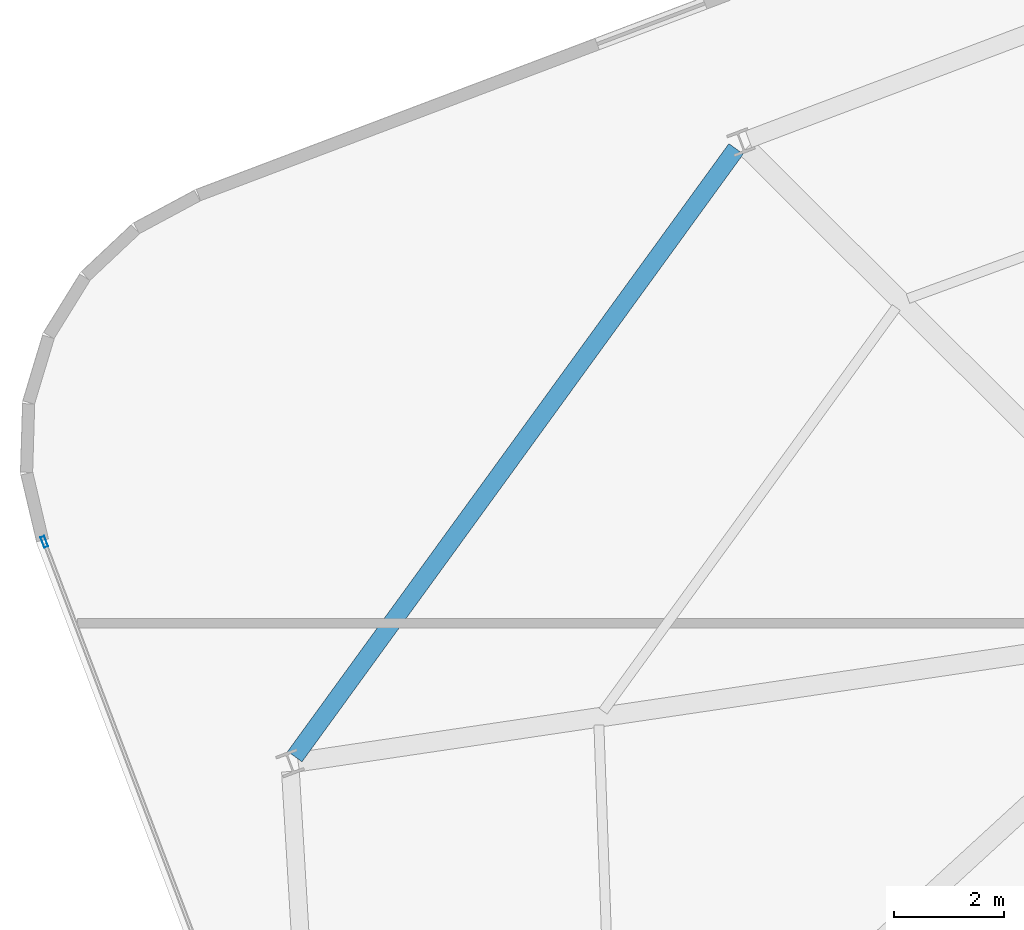
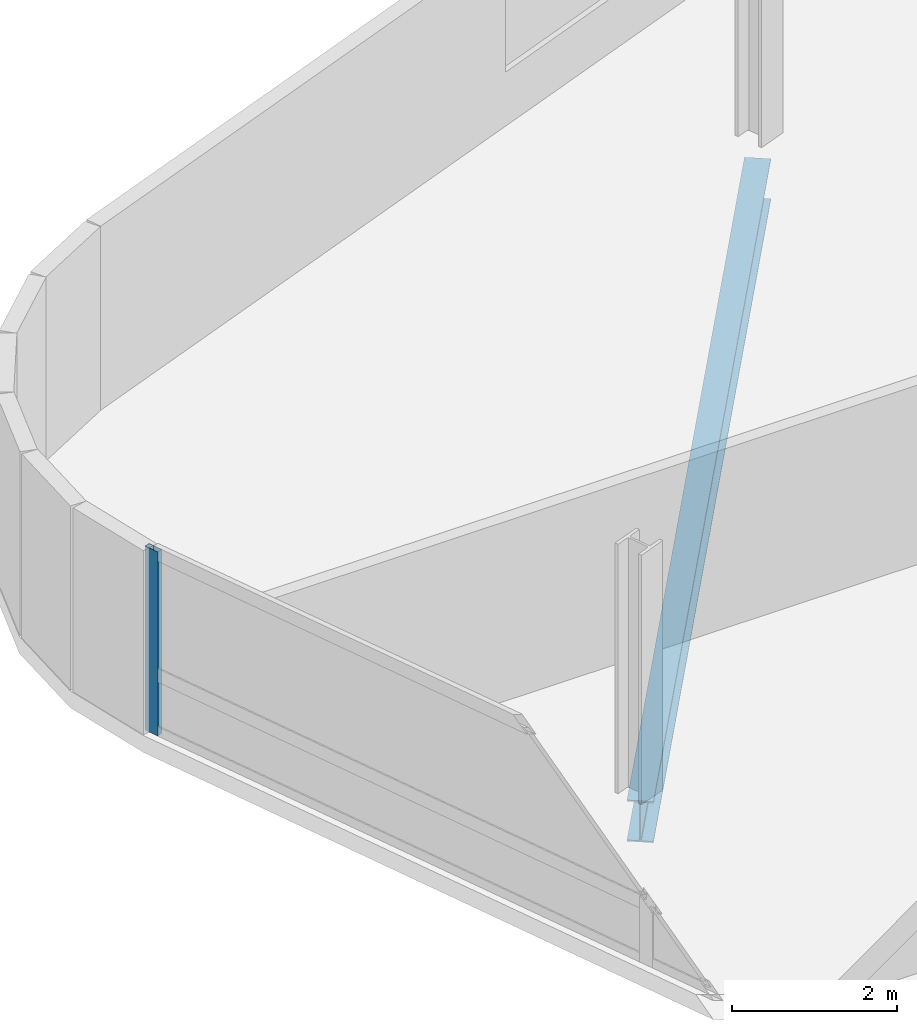
# One storey, part 8 of 19: 1 beam, 1 member, 1 element without a shape of its own.
"""IFC4 building model written with IfcOpenShell, lengths in metres."""

from ifc_helpers import new_model, si_unit, direction, frame, origin, origin_2d, place, context, subcontext, project, spatial, hollow_rectangle, i_section, extrude, material, layer, layer_set, material_profile, profile_set, type_object, element, aggregate, save


model = new_model("IFC4")

# Units and contexts
model_context = context("Model", 3, precision=1e-05, world=origin(), true_north=direction((0.0, 1.0)))
body_context = subcontext(model_context, "Body", "Model", "MODEL_VIEW")
ifc_project = project(units=[si_unit("LENGTHUNIT", "METRE"), si_unit("AREAUNIT", "SQUARE_METRE"), si_unit("VOLUMEUNIT", "CUBIC_METRE"), si_unit("PLANEANGLEUNIT", "RADIAN"), si_unit("MASSUNIT", "GRAM", prefix="KILO")], contexts=[model_context])

# Site, building, storey
site_placement = place(None, origin())
site = spatial("IfcSite", under=ifc_project, at=site_placement, CompositionType="ELEMENT")
building_placement = place(site_placement, origin())
building = spatial("IfcBuilding", under=site, at=building_placement, Name="Varnelok Gate Tower", CompositionType="ELEMENT")
storey_placement = place(building_placement, frame((0.0, 0.0, 246.0)))
storey = spatial("IfcBuildingStorey", under=building, at=storey_placement, Name="L63", CompositionType="ELEMENT", Elevation=246.0)

# Beam
ifc_material_1 = material(Name="Structural Steel ASTM A992 Grade 50", Category="steel")
ifc_material_profile_1 = material_profile(ifc_material_1, i_section(OverallWidth=0.323974609375, OverallDepth=0.611083984375, WebThickness=0.0126953125, FlangeThickness=0.01904296875, FilletRadius=0.01806640625, at=origin_2d()), Name="W24X104")
ifc_profile_set_1 = profile_set([ifc_material_profile_1], Name="Structural Steel ASTM A992 Grade 50")
beam_type = type_object("IfcBeamType", Name="BM-SPN-W24X104", PredefinedType="SPANDREL", material=ifc_profile_set_1)
beam_placement = place(storey_placement, frame((15.479736328125, 35.35009765625, -0.555419921875), z_axis=(-0.587549324529, -0.80918835338, 0.0), x_axis=(0.80918835338, -0.587549324529, 0.0)))
element("IfcBeam", 1, at=beam_placement, inside=storey, type_object=beam_type, Name="L63 Perimeter Spandrel Beam 13", PredefinedType="SPANDREL", context=body_context, shape_type="SweptSolid", body=[
    extrude(i_section(OverallWidth=0.323974609375, OverallDepth=0.611083984375, WebThickness=0.0126953125, FlangeThickness=0.01904296875, FilletRadius=0.01806640625, at=origin_2d()), origin(), (0.0, 0.0, 1.0), 13.6953125),
])

# Curtain wall, member
ifc_material_2 = material(Name="Anodized Aluminum Alloy 6063-T6", Category="aluminium")
ifc_layer = layer(ifc_material_2, 0.179931640625)
ifc_layer_set = layer_set([ifc_layer], Name="Anodized Aluminum Alloy 6063-T6")
curtain_wall_type = type_object("IfcCurtainWallType", Name="CW4-RESIDENCE-VISION", PredefinedType="USERDEFINED", material=ifc_layer_set)
curtain_wall_placement = place(storey_placement, origin())
curtain_wall = element("IfcCurtainWall", 2, at=curtain_wall_placement, inside=storey, type_object=curtain_wall_type, Name="L63 West End Vision Curtain Wall", ObjectType="UNITISED CURTAIN WALL", PredefinedType="USERDEFINED")
ifc_material_profile_2 = material_profile(ifc_material_2, hollow_rectangle(XDim=0.074951171875, YDim=0.199951171875, WallThickness=0.00390625, at=origin_2d()), Name="ALU200X75X4")
ifc_profile_set_2 = profile_set([ifc_material_profile_2], Name="Anodized Aluminum Alloy 6063-T6")
member_type = type_object("IfcMemberType", Name="CW-MULL-200", PredefinedType="MULLION", material=ifc_profile_set_2)
member_placement = place(storey_placement, frame((2.864990234375, 28.1845703125, 0.0), z_axis=(0.0, 0.0, 1.0), x_axis=(-0.935221557832, -0.354063042079, 0.0)))
member = element("IfcMember", 3, at=member_placement, type_object=member_type, Name="CW4 mullion 5", PredefinedType="MULLION", context=body_context, shape_type="SweptSolid", body=[
    extrude(hollow_rectangle(XDim=0.074951171875, YDim=0.199951171875, WallThickness=0.00390625, at=origin_2d()), origin(), (0.0, 0.0, 1.0), 2.72998046875),
])
aggregate(curtain_wall, [member])

save(model, "model.ifc")
